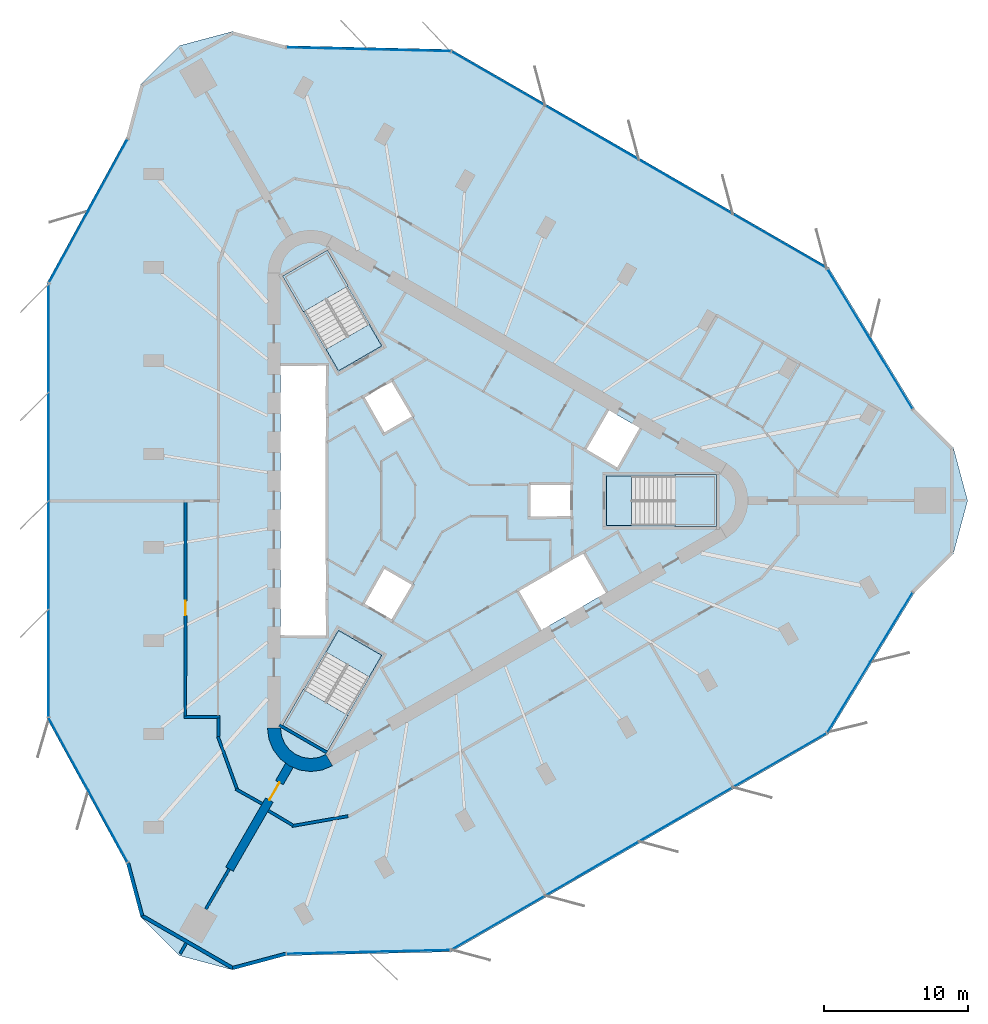
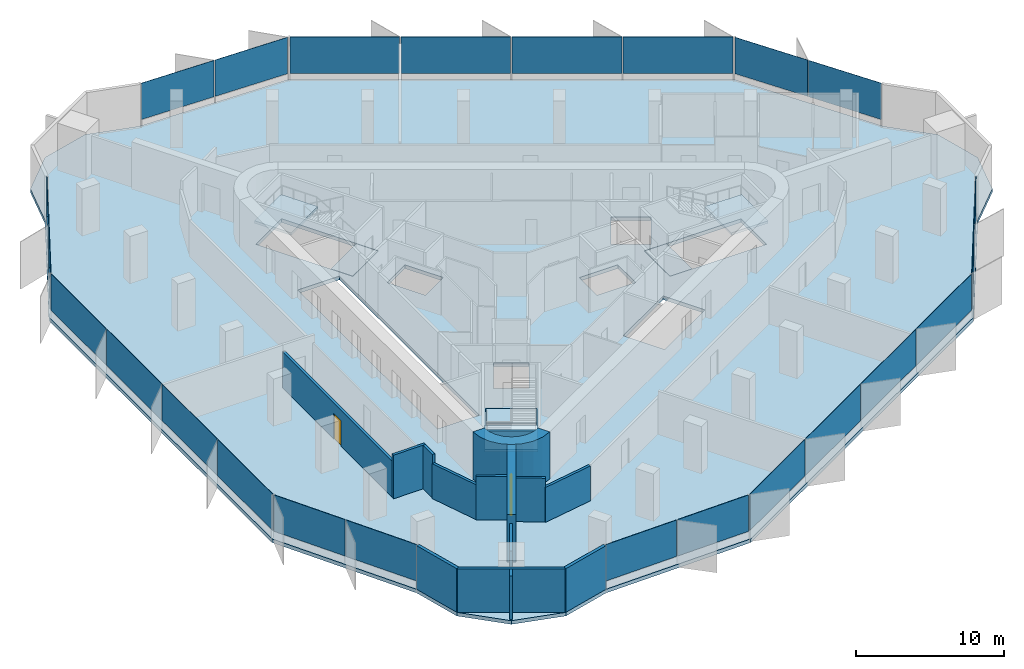
# One storey, part 6 of 12: 24 plates, 15 walls, 7 slabs, 2 doors, 2 openings, 12 elements without a shape of their own.
"""IFC4 building model written with IfcOpenShell, lengths in metres."""

from ifc_helpers import new_model, si_unit, direction, frame, frame_2d, origin, origin_2d, place, context, subcontext, project, spatial, polyline, rectangle, outline, extrude, material, layer, layer_set, type_object, element, fill, aggregate, save


model = new_model("IFC4")

# Units and contexts
model_context = context("Model", 3, precision=1e-05, world=origin(), true_north=direction((0.0, 1.0)))
body_context = subcontext(model_context, "Body", "Model", "MODEL_VIEW")
ifc_project = project(units=[si_unit("LENGTHUNIT", "METRE"), si_unit("AREAUNIT", "SQUARE_METRE"), si_unit("VOLUMEUNIT", "CUBIC_METRE"), si_unit("PLANEANGLEUNIT", "RADIAN"), si_unit("MASSUNIT", "GRAM", prefix="KILO")], contexts=[model_context])

# Site, building, storey
site_placement = place(None, origin())
site = spatial("IfcSite", under=ifc_project, at=site_placement, CompositionType="ELEMENT")
building_placement = place(site_placement, origin())
building = spatial("IfcBuilding", under=site, at=building_placement, Name="Tanit Gate Tower", CompositionType="ELEMENT")
storey_placement = place(building_placement, frame((0.0, 0.0, 341.60009765625)))
storey = spatial("IfcBuildingStorey", under=building, at=storey_placement, Name="L77", CompositionType="ELEMENT", Elevation=341.60009765625)

# Slab
ifc_material_1 = material(Name="Concrete C35/45", Category="concrete")
ifc_layer_1 = layer(ifc_material_1, 0.300048828125)
ifc_layer_set_1 = layer_set([ifc_layer_1], Name="FLOOR SLAB 300 C35/45")
slab_type_1 = type_object("IfcSlabType", Name="FLOOR SLAB 300 C35/45", PredefinedType="FLOOR", material=ifc_layer_set_1)
slab_1_placement = place(storey_placement, frame((0.0, 0.0, -0.300048828125)))
element("IfcSlab", 1, at=slab_1_placement, inside=storey, type_object=slab_type_1, Name="FLOOR SLAB L77", PredefinedType="FLOOR", context=body_context, shape_type="SweptSolid", body=[
    extrude(outline(polyline([(32.703125, 6.381103515625), (35.39990234375, 3.68408203125), (36.38720703125, 0.0), (35.39990234375, -3.68408203125), (32.703125, -6.381103515625), (26.747802734375, -16.17138671875), (0.6298828125, -31.248291015625), (-10.825439453125, -31.51220703125), (-14.509521484375, -32.49951171875), (-18.193603515625, -31.51220703125), (-20.890380859375, -28.815185546875), (-21.877685546875, -25.131103515625), (-27.378662109375, -15.07861328125), (-27.376708984375, 15.07861328125), (-21.877685546875, 25.131103515625), (-20.890380859375, 28.815185546875), (-18.193603515625, 31.51220703125), (-14.509521484375, 32.49951171875), (-10.825439453125, 31.51220703125), (0.630859375, 31.25), (26.746826171875, 16.16943359375), (32.703125, 6.381103515625)]), holes=[polyline([(11.3701171875, 1.72998046875), (18.929931640625, 1.72998046875), (18.929931640625, -1.72998046875), (11.3701171875, -1.72998046875), (11.3701171875, 1.72998046875)]), polyline([(12.158935546875, 2.159912109375), (9.82080078125, 3.510009765625), (11.44580078125, 6.324462890625), (13.783935546875, 4.974609375), (12.158935546875, 2.159912109375)]), polyline([(11.44580078125, -6.324462890625), (6.76904296875, -9.0244140625), (5.14404296875, -6.2099609375), (9.82080078125, -3.510009765625), (11.44580078125, -6.324462890625)]), polyline([(6.0, 1.199951171875), (9.0, 1.199951171875), (9.0, -1.199951171875), (6.0, -1.199951171875), (6.0, 1.199951171875)]), polyline([(-4.039306640625, 4.59619140625), (-5.539306640625, 7.194091796875), (-3.460693359375, 8.394287109375), (-1.960693359375, 5.796142578125), (-4.039306640625, 4.59619140625)]), polyline([(-1.960693359375, -5.796142578125), (-3.460693359375, -8.394287109375), (-5.539306640625, -7.194091796875), (-4.039306640625, -4.59619140625), (-1.960693359375, -5.796142578125)]), polyline([(-7.18310546875, 8.981689453125), (-10.963134765625, 15.52880859375), (-7.966796875, 17.2587890625), (-4.186767578125, 10.711669921875), (-7.18310546875, 8.981689453125)]), polyline([(-4.186767578125, -10.711669921875), (-7.966796875, -17.2587890625), (-10.963134765625, -15.52880859375), (-7.18310546875, -8.981689453125), (-4.186767578125, -10.711669921875)]), polyline([(-11.199951171875, -9.449951171875), (-11.199951171875, 9.449951171875), (-7.949951171875, 9.449951171875), (-7.949951171875, -9.449951171875), (-11.199951171875, -9.449951171875)])]), origin(), (0.0, 0.0, 1.0), 0.300048828125),
])

# Curtain wall, plates
ifc_material_2 = material(Name="Aluminium bronze anodised and glass", Category="aluminium")
curtain_wall_type = type_object("IfcCurtainWallType", Name="Curtain wall typical high", PredefinedType="NOTDEFINED", material=ifc_material_2)
curtain_wall_1_placement = place(storey_placement, origin())
curtain_wall_1 = element("IfcCurtainWall", 2, at=curtain_wall_1_placement, inside=storey, type_object=curtain_wall_type, Name="Curtain wall L77 NE1", PredefinedType="NOTDEFINED")
ifc_material_3 = material(Name="Glass tinted", Category="glass")
ifc_layer_2 = layer(ifc_material_3, 0.028076171875)
ifc_layer_set_2 = layer_set([ifc_layer_2], Name="Glass panel 28 typical high")
plate_type = type_object("IfcPlateType", Name="Glass panel 28 typical high", PredefinedType="CURTAIN_PANEL", material=ifc_layer_set_2)
plate_1_placement = place(storey_placement, frame((31.110595703125, 8.76708984375, 0.599853515625), z_axis=(0.0, 0.0, 1.0), x_axis=(-0.519820409699, 0.854275565412, 0.0)))
plate_1 = element("IfcPlate", 3, at=plate_1_placement, type_object=plate_type, Name="Glass panel L77 NE1.1", PredefinedType="CURTAIN_PANEL", context=body_context, shape_type="SweptSolid", body=[
    extrude(rectangle(XDim=5.60107421875, YDim=0.028076171875, at=origin_2d()), origin(), (0.0, 0.0, 1.0), 3.0),
])
plate_2_placement = place(storey_placement, frame((28.15771484375, 13.6201171875, 0.599853515625), z_axis=(0.0, 0.0, 1.0), x_axis=(-0.519820409699, 0.854275565412, 0.0)))
plate_2 = element("IfcPlate", 4, at=plate_2_placement, type_object=plate_type, Name="Glass panel L77 NE1.2", PredefinedType="CURTAIN_PANEL", context=body_context, shape_type="SweptSolid", body=[
    extrude(rectangle(XDim=5.600830078125, YDim=0.028076171875, at=origin_2d()), origin(), (0.0, 0.0, 1.0), 3.0),
])
aggregate(curtain_wall_1, [plate_1, plate_2])

curtain_wall_2_placement = place(storey_placement, origin())
curtain_wall_2 = element("IfcCurtainWall", 5, at=curtain_wall_2_placement, inside=storey, type_object=curtain_wall_type, Name="Curtain wall L77 NE2", PredefinedType="NOTDEFINED")
plate_3_placement = place(storey_placement, frame((23.37646484375, 17.977294921875, 0.599853515625), z_axis=(0.0, 0.0, 1.0), x_axis=(-0.865990732317, 0.500060047936, 0.0)))
plate_3 = element("IfcPlate", 6, at=plate_3_placement, type_object=plate_type, Name="Glass panel L77 NE2.1", PredefinedType="CURTAIN_PANEL", context=body_context, shape_type="SweptSolid", body=[
    extrude(rectangle(XDim=7.424072265625, YDim=0.028076171875, at=origin_2d()), origin(), (0.0, 0.0, 1.0), 3.0),
])
plate_4_placement = place(storey_placement, frame((16.878173828125, 21.729736328125, 0.599853515625), z_axis=(0.0, 0.0, 1.0), x_axis=(-0.865990732317, 0.500060047936, 0.0)))
plate_4 = element("IfcPlate", 7, at=plate_4_placement, type_object=plate_type, Name="Glass panel L77 NE2.2", PredefinedType="CURTAIN_PANEL", context=body_context, shape_type="SweptSolid", body=[
    extrude(rectangle(XDim=7.424072265625, YDim=0.028076171875, at=origin_2d()), origin(), (0.0, 0.0, 1.0), 3.0),
])
plate_5_placement = place(storey_placement, frame((10.379638671875, 25.482177734375, 0.599853515625), z_axis=(0.0, 0.0, 1.0), x_axis=(-0.865990732317, 0.500060047936, 0.0)))
plate_5 = element("IfcPlate", 8, at=plate_5_placement, type_object=plate_type, Name="Glass panel L77 NE2.3", PredefinedType="CURTAIN_PANEL", context=body_context, shape_type="SweptSolid", body=[
    extrude(rectangle(XDim=7.424072265625, YDim=0.028076171875, at=origin_2d()), origin(), (0.0, 0.0, 1.0), 3.0),
])
plate_6_placement = place(storey_placement, frame((3.88134765625, 29.234619140625, 0.599853515625), z_axis=(0.0, 0.0, 1.0), x_axis=(-0.865990732317, 0.500060047936, 0.0)))
plate_6 = element("IfcPlate", 9, at=plate_6_placement, type_object=plate_type, Name="Glass panel L77 NE2.4", PredefinedType="CURTAIN_PANEL", context=body_context, shape_type="SweptSolid", body=[
    extrude(rectangle(XDim=7.424072265625, YDim=0.028076171875, at=origin_2d()), origin(), (0.0, 0.0, 1.0), 3.0),
])
aggregate(curtain_wall_2, [plate_3, plate_4, plate_5, plate_6])

curtain_wall_3_placement = place(storey_placement, origin())
curtain_wall_3 = element("IfcCurtainWall", 10, at=curtain_wall_3_placement, inside=storey, type_object=curtain_wall_type, Name="Curtain wall L77 NE3", PredefinedType="NOTDEFINED")
plate_7_placement = place(storey_placement, frame((-2.282470703125, 31.19677734375, 0.599853515625), z_axis=(0.0, 0.0, 1.0), x_axis=(-0.999738222032, 0.022879847229, 0.0)))
plate_7 = element("IfcPlate", 11, at=plate_7_placement, type_object=plate_type, Name="Glass panel L77 NE3.1", PredefinedType="CURTAIN_PANEL", context=body_context, shape_type="SweptSolid", body=[
    extrude(rectangle(XDim=5.6015625, YDim=0.028076171875, at=origin_2d()), origin(), (0.0, 0.0, 1.0), 3.0),
])
plate_8_placement = place(storey_placement, frame((-7.962646484375, 31.32666015625, 0.599853515625), z_axis=(0.0, 0.0, 1.0), x_axis=(-0.999738222032, 0.022879847229, 0.0)))
plate_8 = element("IfcPlate", 12, at=plate_8_placement, type_object=plate_type, Name="Glass panel L77 NE3.2", PredefinedType="CURTAIN_PANEL", context=body_context, shape_type="SweptSolid", body=[
    extrude(rectangle(XDim=5.601318359375, YDim=0.028076171875, at=origin_2d()), origin(), (0.0, 0.0, 1.0), 3.0),
])
aggregate(curtain_wall_3, [plate_7, plate_8])

curtain_wall_4_placement = place(storey_placement, origin())
curtain_wall_4 = element("IfcCurtainWall", 13, at=curtain_wall_4_placement, inside=storey, type_object=curtain_wall_type, Name="Curtain wall L77 W1", PredefinedType="NOTDEFINED")
plate_9_placement = place(storey_placement, frame((-23.14794921875, 22.55908203125, 0.599853515625), z_axis=(0.0, 0.0, 1.0), x_axis=(-0.47991413663, -0.877315462911, 0.0)))
plate_9 = element("IfcPlate", 14, at=plate_9_placement, type_object=plate_type, Name="Glass panel L77 W1.1", PredefinedType="CURTAIN_PANEL", context=body_context, shape_type="SweptSolid", body=[
    extrude(rectangle(XDim=5.60107421875, YDim=0.028076171875, at=origin_2d()), origin(), (0.0, 0.0, 1.0), 3.0),
])
plate_10_placement = place(storey_placement, frame((-25.874267578125, 17.5751953125, 0.599853515625), z_axis=(0.0, 0.0, 1.0), x_axis=(-0.47991413663, -0.877315462911, 0.0)))
plate_10 = element("IfcPlate", 15, at=plate_10_placement, type_object=plate_type, Name="Glass panel L77 W1.2", PredefinedType="CURTAIN_PANEL", context=body_context, shape_type="SweptSolid", body=[
    extrude(rectangle(XDim=5.600830078125, YDim=0.028076171875, at=origin_2d()), origin(), (0.0, 0.0, 1.0), 3.0),
])
aggregate(curtain_wall_4, [plate_9, plate_10])

curtain_wall_5_placement = place(storey_placement, origin())
curtain_wall_5 = element("IfcCurtainWall", 16, at=curtain_wall_5_placement, inside=storey, type_object=curtain_wall_type, Name="Curtain wall L77 W2", PredefinedType="NOTDEFINED")
plate_11_placement = place(storey_placement, frame((-27.2568359375, 11.256103515625, 0.599853515625), z_axis=(0.0, 0.0, 1.0), x_axis=(-6.9338772e-05, -0.999999997596, 0.0)))
plate_11 = element("IfcPlate", 17, at=plate_11_placement, type_object=plate_type, Name="Glass panel L77 W2.1", PredefinedType="CURTAIN_PANEL", context=body_context, shape_type="SweptSolid", body=[
    extrude(rectangle(XDim=7.424072265625, YDim=0.028076171875, at=origin_2d()), origin(), (0.0, 0.0, 1.0), 3.0),
])
plate_12_placement = place(storey_placement, frame((-27.25732421875, 3.751953125, 0.599853515625), z_axis=(0.0, 0.0, 1.0), x_axis=(-6.9338772e-05, -0.999999997596, 0.0)))
plate_12 = element("IfcPlate", 18, at=plate_12_placement, type_object=plate_type, Name="Glass panel L77 W2.2", PredefinedType="CURTAIN_PANEL", context=body_context, shape_type="SweptSolid", body=[
    extrude(rectangle(XDim=7.424072265625, YDim=0.028076171875, at=origin_2d()), origin(), (0.0, 0.0, 1.0), 3.0),
])
plate_13_placement = place(storey_placement, frame((-27.258056640625, -3.751953125, 0.599853515625), z_axis=(0.0, 0.0, 1.0), x_axis=(-6.9338772e-05, -0.999999997596, 0.0)))
plate_13 = element("IfcPlate", 19, at=plate_13_placement, type_object=plate_type, Name="Glass panel L77 W2.3", PredefinedType="CURTAIN_PANEL", context=body_context, shape_type="SweptSolid", body=[
    extrude(rectangle(XDim=7.424072265625, YDim=0.028076171875, at=origin_2d()), origin(), (0.0, 0.0, 1.0), 3.0),
])
plate_14_placement = place(storey_placement, frame((-27.258544921875, -11.256103515625, 0.599853515625), z_axis=(0.0, 0.0, 1.0), x_axis=(-6.9338772e-05, -0.999999997596, 0.0)))
plate_14 = element("IfcPlate", 20, at=plate_14_placement, type_object=plate_type, Name="Glass panel L77 W2.4", PredefinedType="CURTAIN_PANEL", context=body_context, shape_type="SweptSolid", body=[
    extrude(rectangle(XDim=7.424072265625, YDim=0.028076171875, at=origin_2d()), origin(), (0.0, 0.0, 1.0), 3.0),
])
aggregate(curtain_wall_5, [plate_11, plate_12, plate_13, plate_14])

curtain_wall_6_placement = place(storey_placement, origin())
curtain_wall_6 = element("IfcCurtainWall", 21, at=curtain_wall_6_placement, inside=storey, type_object=curtain_wall_type, Name="Curtain wall L77 W3", PredefinedType="NOTDEFINED")
plate_15_placement = place(storey_placement, frame((-25.875732421875, -17.5751953125, 0.599853515625), z_axis=(0.0, 0.0, 1.0), x_axis=(0.48005458208, -0.877238621028, 0.0)))
plate_15 = element("IfcPlate", 22, at=plate_15_placement, type_object=plate_type, Name="Glass panel L77 W3.1", PredefinedType="CURTAIN_PANEL", context=body_context, shape_type="SweptSolid", body=[
    extrude(rectangle(XDim=5.6015625, YDim=0.028076171875, at=origin_2d()), origin(), (0.0, 0.0, 1.0), 3.0),
])
plate_16_placement = place(storey_placement, frame((-23.1484375, -22.55908203125, 0.599853515625), z_axis=(0.0, 0.0, 1.0), x_axis=(0.48005458208, -0.877238621028, 0.0)))
plate_16 = element("IfcPlate", 23, at=plate_16_placement, type_object=plate_type, Name="Glass panel L77 W3.2", PredefinedType="CURTAIN_PANEL", context=body_context, shape_type="SweptSolid", body=[
    extrude(rectangle(XDim=5.601318359375, YDim=0.028076171875, at=origin_2d()), origin(), (0.0, 0.0, 1.0), 3.0),
])
aggregate(curtain_wall_6, [plate_15, plate_16])

curtain_wall_7_placement = place(storey_placement, origin())
curtain_wall_7 = element("IfcCurtainWall", 24, at=curtain_wall_7_placement, inside=storey, type_object=curtain_wall_type, Name="Curtain wall L77 SE1", PredefinedType="NOTDEFINED")
plate_17_placement = place(storey_placement, frame((-7.962890625, -31.326171875, 0.599853515625), z_axis=(0.0, 0.0, 1.0), x_axis=(0.999734546329, 0.023039897499, 0.0)))
plate_17 = element("IfcPlate", 25, at=plate_17_placement, type_object=plate_type, Name="Glass panel L77 SE1.1", PredefinedType="CURTAIN_PANEL", context=body_context, shape_type="SweptSolid", body=[
    extrude(rectangle(XDim=5.60107421875, YDim=0.028076171875, at=origin_2d()), origin(), (0.0, 0.0, 1.0), 3.0),
])
plate_18_placement = place(storey_placement, frame((-2.283447265625, -31.1953125, 0.599853515625), z_axis=(0.0, 0.0, 1.0), x_axis=(0.999734546329, 0.023039897499, 0.0)))
plate_18 = element("IfcPlate", 26, at=plate_18_placement, type_object=plate_type, Name="Glass panel L77 SE1.2", PredefinedType="CURTAIN_PANEL", context=body_context, shape_type="SweptSolid", body=[
    extrude(rectangle(XDim=5.600830078125, YDim=0.028076171875, at=origin_2d()), origin(), (0.0, 0.0, 1.0), 3.0),
])
aggregate(curtain_wall_7, [plate_17, plate_18])

curtain_wall_8_placement = place(storey_placement, origin())
curtain_wall_8 = element("IfcCurtainWall", 27, at=curtain_wall_8_placement, inside=storey, type_object=curtain_wall_type, Name="Curtain wall L77 SE2", PredefinedType="NOTDEFINED")
plate_19_placement = place(storey_placement, frame((3.88037109375, -29.233154296875, 0.599853515625), z_axis=(0.0, 0.0, 1.0), x_axis=(0.866060071089, 0.49993994966, 0.0)))
plate_19 = element("IfcPlate", 28, at=plate_19_placement, type_object=plate_type, Name="Glass panel L77 SE2.1", PredefinedType="CURTAIN_PANEL", context=body_context, shape_type="SweptSolid", body=[
    extrude(rectangle(XDim=7.424072265625, YDim=0.028076171875, at=origin_2d()), origin(), (0.0, 0.0, 1.0), 3.0),
])
plate_20_placement = place(storey_placement, frame((10.37939453125, -25.481689453125, 0.599853515625), z_axis=(0.0, 0.0, 1.0), x_axis=(0.866060071089, 0.49993994966, 0.0)))
plate_20 = element("IfcPlate", 29, at=plate_20_placement, type_object=plate_type, Name="Glass panel L77 SE2.2", PredefinedType="CURTAIN_PANEL", context=body_context, shape_type="SweptSolid", body=[
    extrude(rectangle(XDim=7.424072265625, YDim=0.028076171875, at=origin_2d()), origin(), (0.0, 0.0, 1.0), 3.0),
])
plate_21_placement = place(storey_placement, frame((16.87841796875, -21.72998046875, 0.599853515625), z_axis=(0.0, 0.0, 1.0), x_axis=(0.866060071089, 0.49993994966, 0.0)))
plate_21 = element("IfcPlate", 30, at=plate_21_placement, type_object=plate_type, Name="Glass panel L77 SE2.3", PredefinedType="CURTAIN_PANEL", context=body_context, shape_type="SweptSolid", body=[
    extrude(rectangle(XDim=7.424072265625, YDim=0.028076171875, at=origin_2d()), origin(), (0.0, 0.0, 1.0), 3.0),
])
plate_22_placement = place(storey_placement, frame((23.377197265625, -17.978515625, 0.599853515625), z_axis=(0.0, 0.0, 1.0), x_axis=(0.866060071089, 0.49993994966, 0.0)))
plate_22 = element("IfcPlate", 31, at=plate_22_placement, type_object=plate_type, Name="Glass panel L77 SE2.4", PredefinedType="CURTAIN_PANEL", context=body_context, shape_type="SweptSolid", body=[
    extrude(rectangle(XDim=7.424072265625, YDim=0.028076171875, at=origin_2d()), origin(), (0.0, 0.0, 1.0), 3.0),
])
aggregate(curtain_wall_8, [plate_19, plate_20, plate_21, plate_22])

curtain_wall_9_placement = place(storey_placement, origin())
curtain_wall_9 = element("IfcCurtainWall", 32, at=curtain_wall_9_placement, inside=storey, type_object=curtain_wall_type, Name="Curtain wall L77 SE3", PredefinedType="NOTDEFINED")
plate_23_placement = place(storey_placement, frame((28.158447265625, -13.62158203125, 0.599853515625), z_axis=(0.0, 0.0, 1.0), x_axis=(0.519683639951, 0.854358773799, 0.0)))
plate_23 = element("IfcPlate", 33, at=plate_23_placement, type_object=plate_type, Name="Glass panel L77 SE3.1", PredefinedType="CURTAIN_PANEL", context=body_context, shape_type="SweptSolid", body=[
    extrude(rectangle(XDim=5.6015625, YDim=0.028076171875, at=origin_2d()), origin(), (0.0, 0.0, 1.0), 3.0),
])
plate_24_placement = place(storey_placement, frame((31.111083984375, -8.767578125, 0.599853515625), z_axis=(0.0, 0.0, 1.0), x_axis=(0.519683639951, 0.854358773799, 0.0)))
plate_24 = element("IfcPlate", 34, at=plate_24_placement, type_object=plate_type, Name="Glass panel L77 SE3.2", PredefinedType="CURTAIN_PANEL", context=body_context, shape_type="SweptSolid", body=[
    extrude(rectangle(XDim=5.601318359375, YDim=0.028076171875, at=origin_2d()), origin(), (0.0, 0.0, 1.0), 3.0),
])
aggregate(curtain_wall_9, [plate_23, plate_24])

# Stair, slab
ifc_material_4 = material(Name="Concrete C40/50", Category="concrete")
stair_type = type_object("IfcStairType", Name="INT-STAIR-EXIT", PredefinedType="HALF_TURN_STAIR", material=ifc_material_4)
stair_1_placement = place(storey_placement, origin())
stair_1 = element("IfcStair", 35, at=stair_1_placement, inside=storey, type_object=stair_type, Name="L77 STAIR S1", PredefinedType="HALF_TURN_STAIR")
ifc_material_5 = material(Name="Concrete C40/50", Category="concrete")
ifc_layer_3 = layer(ifc_material_5, 0.199951171875)
ifc_layer_set_3 = layer_set([ifc_layer_3], Name="INT-STAIR-LANDING")
slab_type_2 = type_object("IfcSlabType", Name="INT-STAIR-LANDING", PredefinedType="LANDING", material=ifc_layer_set_3)
slab_2_placement = place(storey_placement, frame((0.0, 0.0, 1.75)))
slab_2 = element("IfcSlab", 36, at=slab_2_placement, type_object=slab_type_2, Name="S1 landing 1", PredefinedType="LANDING", context=body_context, shape_type="SweptSolid", body=[
    extrude(outline(polyline([(16.135986328125, -1.800048828125), (19.0, -1.800048828125), (19.0, 1.800048828125), (16.135986328125, 1.800048828125), (16.135986328125, -1.800048828125)])), origin(), (0.0, 0.0, 1.0), 0.199951171875),
])
aggregate(stair_1, [slab_2])

# Slab
slab_3_placement = place(storey_placement, frame((0.0, 0.0, -0.2001953125)))
element("IfcSlab", 37, at=slab_3_placement, inside=storey, type_object=slab_type_2, Name="S1 floor landing", PredefinedType="LANDING", context=body_context, shape_type="SweptSolid", body=[
    extrude(outline(polyline([(11.3798828125, -1.719970703125), (13.10498046875, -1.719970703125), (13.10498046875, 1.719970703125), (11.3798828125, 1.719970703125), (11.3798828125, -1.719970703125)])), origin(), (0.0, 0.0, 1.0), 0.2001953125),
])

# Stair, slab
stair_2_placement = place(storey_placement, origin())
stair_2 = element("IfcStair", 38, at=stair_2_placement, inside=storey, type_object=stair_type, Name="L77 STAIR S2", PredefinedType="HALF_TURN_STAIR")
slab_4_placement = place(storey_placement, frame((0.0, 0.0, 1.75)))
slab_4 = element("IfcSlab", 39, at=slab_4_placement, type_object=slab_type_2, Name="S2 landing 1", PredefinedType="LANDING", context=body_context, shape_type="SweptSolid", body=[
    extrude(outline(polyline([(-6.5078125, 14.871826171875), (-7.941162109375, 17.3544921875), (-11.058837890625, 15.554443359375), (-9.62548828125, 13.07177734375), (-6.5078125, 14.871826171875)])), origin(), (0.0, 0.0, 1.0), 0.199951171875),
])
aggregate(stair_2, [slab_4])

# Slab
slab_5_placement = place(storey_placement, frame((0.0, 0.0, -0.2001953125)))
element("IfcSlab", 40, at=slab_5_placement, inside=storey, type_object=slab_type_2, Name="S2 floor landing", PredefinedType="LANDING", context=body_context, shape_type="SweptSolid", body=[
    extrude(outline(polyline([(-4.200439453125, 10.71533203125), (-5.0625, 12.20849609375), (-8.04150390625, 10.48828125), (-7.179443359375, 8.995361328125), (-4.200439453125, 10.71533203125)])), origin(), (0.0, 0.0, 1.0), 0.2001953125),
])

# Stair, slab
stair_3_placement = place(storey_placement, origin())
stair_3 = element("IfcStair", 41, at=stair_3_placement, inside=storey, type_object=stair_type, Name="L77 STAIR S3", PredefinedType="HALF_TURN_STAIR")
slab_6_placement = place(storey_placement, frame((0.0, 0.0, 1.75)))
slab_6 = element("IfcSlab", 42, at=slab_6_placement, type_object=slab_type_2, Name="S3 landing 1", PredefinedType="LANDING", context=body_context, shape_type="SweptSolid", body=[
    extrude(outline(polyline([(-9.626953125, -13.07421875), (-11.058837890625, -15.554443359375), (-7.941162109375, -17.3544921875), (-6.509033203125, -14.874267578125), (-9.626953125, -13.07421875)])), origin(), (0.0, 0.0, 1.0), 0.199951171875),
])
aggregate(stair_3, [slab_6])

# Slab
slab_7_placement = place(storey_placement, frame((0.0, 0.0, -0.2001953125)))
element("IfcSlab", 43, at=slab_7_placement, inside=storey, type_object=slab_type_2, Name="S3 floor landing", PredefinedType="LANDING", context=body_context, shape_type="SweptSolid", body=[
    extrude(outline(polyline([(-7.179443359375, -8.995361328125), (-8.0419921875, -10.4892578125), (-5.06298828125, -12.209228515625), (-4.200439453125, -10.71533203125), (-7.179443359375, -8.995361328125)])), origin(), (0.0, 0.0, 1.0), 0.2001953125),
])

# Wall, opening, door
ifc_material_6 = material(Name="Concrete C40/50", Category="concrete")
ifc_layer_4 = layer(ifc_material_6, 0.60009765625)
ifc_layer_set_4 = layer_set([ifc_layer_4], Name="BUTTRESS FIN 600 C40/50")
wall_type_1 = type_object("IfcWallType", Name="BUTTRESS FIN 600 C40/50", PredefinedType="SHEAR", material=ifc_layer_set_4)
wall_1_placement = place(storey_placement, frame((-10.574951171875, -18.31640625, 0.0), z_axis=(0.0, 0.0, 1.0), x_axis=(-0.499998447599, -0.866026300061, 0.0)))
wall_1 = element("IfcWall", 44, at=wall_1_placement, inside=storey, type_object=wall_type_1, Name="BUTTRESS FIN", PredefinedType="SHEAR", context=body_context, shape_type="SweptSolid", body=[
    extrude(rectangle(XDim=8.32080078125, YDim=0.60009765625, at=frame_2d((4.160400390625, 0.0))), origin(), (0.0, 0.0, 1.0), 3.89990234375),
])
opening_1_placement = place(wall_1_placement, frame((1.39990234375, 0.0, 0.0)))
opening_1 = element("IfcOpeningElement", 45, at=opening_1_placement, cuts=wall_1, Name="Opening P14-S21-F-SW-1", PredefinedType="OPENING", context=body_context, shape_type="SweptSolid", body=[
    extrude(rectangle(XDim=1.39990234375, YDim=2.39990234375, at=frame_2d((0.699951171875, 1.199951171875))), frame((0.0, 0.31005859375, 0.0), z_axis=(0.0, -1.0, 0.0), x_axis=(1.0, 0.0, 0.0)), (0.0, 0.0, 1.0), 0.6201171875),
])
ifc_material_7 = material(Name="Timber door leaf", Category="wood")
door_type_1 = type_object("IfcDoorType", Name="INT-DOOR-FIN-PAIR-1400", OperationType="NOTDEFINED", PredefinedType="NOTDEFINED", material=ifc_material_7)
door_1_placement = place(opening_1_placement, origin())
door_1 = element("IfcDoor", 46, at=door_1_placement, inside=storey, type_object=door_type_1, Name="Door P14-S21-F-SW-1", OperationType="DOUBLE_DOOR_SINGLE_SWING", OverallHeight=2.39990234375, OverallWidth=1.39990234375, PredefinedType="NOTDEFINED", context=body_context, shape_type="SweptSolid", body=[
    extrude(rectangle(XDim=1.39990234375, YDim=2.39990234375, at=frame_2d((0.699951171875, 1.199951171875))), frame((0.0, 0.02490234375, 0.0), z_axis=(0.0, -1.0, 0.0), x_axis=(1.0, 0.0, 0.0)), (0.0, 0.0, 1.0), 0.050048828125),
])
fill(opening_1, door_1)

# Walls
ifc_material_8 = material(Name="Concrete C40/50", Category="concrete")
ifc_layer_5 = layer(ifc_material_8, 0.89990234375)
ifc_layer_set_5 = layer_set([ifc_layer_5], Name="CORE WALL 900 C40/50")
wall_type_2 = type_object("IfcWallType", Name="CORE WALL 900 C40/50", PredefinedType="SHEAR", material=ifc_layer_set_5)
wall_2_placement = place(storey_placement, origin())
element("IfcWall", 47, at=wall_2_placement, inside=storey, type_object=wall_type_2, Name="CORE WALL CORNER", PredefinedType="SHEAR", context=body_context, shape_type="SweptSolid", body=[
    extrude(outline(polyline([(-12.10009765625, -15.76171875), (-11.997802734375, -16.5380859375), (-11.697998046875, -17.26171875), (-11.22119140625, -17.883056640625), (-10.60009765625, -18.359619140625), (-9.87646484375, -18.659423828125), (-9.10009765625, -18.76171875), (-8.323486328125, -18.659423828125), (-7.60009765625, -18.359619140625), (-8.050048828125, -17.580322265625), (-8.556396484375, -17.7900390625), (-9.10009765625, -17.86181640625), (-9.6435546875, -17.7900390625), (-10.14990234375, -17.580322265625), (-10.5849609375, -17.24658203125), (-10.918701171875, -16.811767578125), (-11.12841796875, -16.30517578125), (-11.199951171875, -15.76171875), (-12.10009765625, -15.76171875)])), origin(), (0.0, 0.0, 1.0), 3.89990234375),
])
ifc_material_9 = material(Name="Concrete C30/37 with bronze anodised aluminium cladding", Category="concrete")
ifc_layer_6 = layer(ifc_material_9, 0.239990234375)
ifc_layer_set_6 = layer_set([ifc_layer_6], Name="Facade wall bronze clad 240")
wall_type_3 = type_object("IfcWallType", Name="Facade wall bronze clad 240", PredefinedType="SOLIDWALL", material=ifc_layer_set_6)
wall_3_placement = place(storey_placement, frame((-21.765625, -25.086181640625, 0.0), z_axis=(0.0, 0.0, 1.0), x_axis=(0.258843233206, -0.965919344782, 0.0)))
element("IfcWall", 48, at=wall_3_placement, inside=storey, type_object=wall_type_3, Name="Bronze-clad facade wall L77 SW.arc1", PredefinedType="SOLIDWALL", context=body_context, shape_type="SweptSolid", body=[
    extrude(rectangle(XDim=3.79638671875, YDim=0.239990234375, at=frame_2d((1.898193359375, 0.0))), origin(), (0.0, 0.0, 1.0), 3.599853515625),
])
wall_4_placement = place(storey_placement, frame((-20.782958984375, -28.753173828125, 0.0), z_axis=(0.0, 0.0, 1.0), x_axis=(0.866019457076, -0.500010299859, 0.0)))
element("IfcWall", 49, at=wall_4_placement, inside=storey, type_object=wall_type_3, Name="Bronze-clad facade wall L77 SW.arc2", PredefinedType="SOLIDWALL", context=body_context, shape_type="SweptSolid", body=[
    extrude(rectangle(XDim=7.243896484375, YDim=0.239990234375, at=frame_2d((3.6220703125, 0.0))), origin(), (0.0, 0.0, 1.0), 3.599853515625),
])
wall_5_placement = place(storey_placement, frame((-14.509521484375, -32.375244140625, 0.0), z_axis=(0.0, 0.0, 1.0), x_axis=(0.965919344782, 0.258843233206, 0.0)))
element("IfcWall", 50, at=wall_5_placement, inside=storey, type_object=wall_type_3, Name="Bronze-clad facade wall L77 SW.arc3", PredefinedType="SOLIDWALL", context=body_context, shape_type="SweptSolid", body=[
    extrude(rectangle(XDim=3.79638671875, YDim=0.239990234375, at=frame_2d((1.898193359375, 0.0))), origin(), (0.0, 0.0, 1.0), 3.599853515625),
])
ifc_material_10 = material(Name="Fire-rated gypsum board partition")
ifc_layer_7 = layer(ifc_material_10, 0.199951171875)
ifc_layer_set_7 = layer_set([ifc_layer_7], Name="INT-WALL-COMPARTMENT")
wall_type_4 = type_object("IfcWallType", Name="INT-WALL-COMPARTMENT", PredefinedType="PARTITIONING", material=ifc_layer_set_7)
wall_6_placement = place(storey_placement, frame((-17.89990234375, -15.001220703125, 0.0), z_axis=(0.0, 0.0, 1.0), x_axis=(0.999915662945, 0.012987185857, 0.0)))
element("IfcWall", 51, at=wall_6_placement, inside=storey, type_object=wall_type_4, Name="Wall Compartment W085", PredefinedType="PARTITIONING", context=body_context, shape_type="SweptSolid", body=[
    extrude(rectangle(XDim=2.500244140625, YDim=0.199951171875, at=frame_2d((1.25, 0.0))), origin(), (0.0, 0.0, 1.0), 3.599853515625),
])

# Wall, opening, door
wall_7_placement = place(storey_placement, frame((-17.77001953125, 0.0, 0.0), z_axis=(0.0, 0.0, 1.0), x_axis=(-0.001999012883, -0.999998001972, 0.0)))
wall_7 = element("IfcWall", 52, at=wall_7_placement, inside=storey, type_object=wall_type_4, Name="Wall Compartment W086", PredefinedType="PARTITIONING", context=body_context, shape_type="SweptSolid", body=[
    extrude(rectangle(XDim=14.89990234375, YDim=0.199951171875, at=frame_2d((7.449951171875, 0.0))), origin(), (0.0, 0.0, 1.0), 2.969970703125),
])
opening_2_placement = place(wall_7_placement, frame((6.949951171875, 0.0, 0.0)))
opening_2 = element("IfcOpeningElement", 53, at=opening_2_placement, cuts=wall_7, Name="Opening F10-S21-26", PredefinedType="OPENING", context=body_context, shape_type="SweptSolid", body=[
    extrude(rectangle(XDim=1.0, YDim=2.10009765625, at=frame_2d((0.5, 1.050048828125))), frame((0.0, 0.10986328125, 0.0), z_axis=(0.0, -1.0, 0.0), x_axis=(1.0, 0.0, 0.0)), (0.0, 0.0, 1.0), 0.219970703125),
])
ifc_material_11 = material(Name="Fire-rated steel door leaf", Category="steel")
door_type_2 = type_object("IfcDoorType", Name="INT-DOOR-FIRE-1000", OperationType="NOTDEFINED", PredefinedType="USERDEFINED", material=ifc_material_11)
door_2_placement = place(opening_2_placement, origin())
door_2 = element("IfcDoor", 54, at=door_2_placement, inside=storey, type_object=door_type_2, Name="Door F10-S21-26", ObjectType="FIRE DOOR", OperationType="SINGLE_SWING_RIGHT", OverallHeight=2.10009765625, OverallWidth=1.0, PredefinedType="USERDEFINED", context=body_context, shape_type="SweptSolid", body=[
    extrude(rectangle(XDim=1.0, YDim=2.10009765625, at=frame_2d((0.5, 1.050048828125))), frame((0.0, 0.02490234375, 0.0), z_axis=(0.0, -1.0, 0.0), x_axis=(1.0, 0.0, 0.0)), (0.0, 0.0, 1.0), 0.050048828125),
])
fill(opening_2, door_2)

# Walls
wall_8_placement = place(storey_placement, frame((-14.293212890625, -19.9775390625, 0.0), z_axis=(0.0, 0.0, 1.0), x_axis=(0.872510000486, -0.48859625362, 0.0)))
element("IfcWall", 55, at=wall_8_placement, inside=storey, type_object=wall_type_4, Name="Wall Compartment W088", PredefinedType="PARTITIONING", context=body_context, shape_type="SweptSolid", body=[
    extrude(rectangle(XDim=2.089599609375, YDim=0.199951171875, at=frame_2d((1.044921875, 0.0))), origin(), (0.0, 0.0, 1.0), 3.599853515625),
])
wall_9_placement = place(storey_placement, frame((-15.5341796875, -16.346435546875, 0.0), z_axis=(0.0, 0.0, 1.0), x_axis=(0.342001008711, -0.939699584996, 0.0)))
element("IfcWall", 56, at=wall_9_placement, inside=storey, type_object=wall_type_4, Name="Wall Compartment W089", PredefinedType="PARTITIONING", context=body_context, shape_type="SweptSolid", body=[
    extrude(rectangle(XDim=3.87548828125, YDim=0.199951171875, at=frame_2d((1.937744140625, 0.0))), origin(), (0.0, 0.0, 1.0), 2.8798828125),
])
wall_10_placement = place(storey_placement, frame((-15.5, -15.070068359375, 0.0), z_axis=(0.0, 0.0, 1.0), x_axis=(0.0, -1.0, 0.0)))
element("IfcWall", 57, at=wall_10_placement, inside=storey, type_object=wall_type_4, Name="Wall Compartment W090", PredefinedType="PARTITIONING", context=body_context, shape_type="SweptSolid", body=[
    extrude(rectangle(XDim=1.2705078125, YDim=0.199951171875, at=frame_2d((0.63525390625, 0.0))), origin(), (0.0, 0.0, 1.0), 3.599853515625),
])
wall_11_placement = place(storey_placement, frame((-10.405517578125, -22.53759765625, 0.0), z_axis=(0.0, 0.0, 1.0), x_axis=(0.98480284819, 0.173675991999, 0.0)))
element("IfcWall", 58, at=wall_11_placement, inside=storey, type_object=wall_type_4, Name="Wall Compartment W107", PredefinedType="PARTITIONING", context=body_context, shape_type="SweptSolid", body=[
    extrude(rectangle(XDim=3.94873046875, YDim=0.199951171875, at=frame_2d((1.974365234375, 0.0))), origin(), (0.0, 0.0, 1.0), 2.8798828125),
])
wall_12_placement = place(storey_placement, frame((-12.05029296875, -21.4716796875, 0.0), z_axis=(0.0, 0.0, 1.0), x_axis=(0.859577966481, -0.511004617924, 0.0)))
element("IfcWall", 59, at=wall_12_placement, inside=storey, type_object=wall_type_4, Name="Wall Compartment W108", PredefinedType="PARTITIONING", context=body_context, shape_type="SweptSolid", body=[
    extrude(rectangle(XDim=1.99755859375, YDim=0.199951171875, at=frame_2d((0.998779296875, 0.0))), origin(), (0.0, 0.0, 1.0), 3.599853515625),
])
wall_13_placement = place(storey_placement, frame((-18.1533203125, -31.382568359375, 0.0), z_axis=(0.0, 0.0, 1.0), x_axis=(0.499973348067, 0.866040790738, 0.0)))
element("IfcWall", 60, at=wall_13_placement, inside=storey, type_object=wall_type_4, Name="Wall Compartment W110", PredefinedType="PARTITIONING", context=body_context, shape_type="SweptSolid", body=[
    extrude(rectangle(XDim=0.84228515625, YDim=0.199951171875, at=frame_2d((0.421142578125, 0.0))), origin(), (0.0, 0.0, 1.0), 3.599853515625),
])
wall_14_placement = place(storey_placement, frame((-16.36962890625, -28.29296875, 0.0), z_axis=(0.0, 0.0, 1.0), x_axis=(0.503233779138, 0.864150313044, 0.0)))
element("IfcWall", 61, at=wall_14_placement, inside=storey, type_object=wall_type_4, Name="Wall Compartment W111", PredefinedType="PARTITIONING", context=body_context, shape_type="SweptSolid", body=[
    extrude(rectangle(XDim=3.216552734375, YDim=0.199951171875, at=frame_2d((1.6083984375, 0.0))), origin(), (0.0, 0.0, 1.0), 3.169921875),
])
ifc_material_12 = material(Name="Concrete C40/50", Category="concrete")
ifc_layer_8 = layer(ifc_material_12, 0.199951171875)
ifc_layer_set_8 = layer_set([ifc_layer_8], Name="INT-WALL-STAIR")
wall_type_5 = type_object("IfcWallType", Name="INT-WALL-STAIR", PredefinedType="SHEAR", material=ifc_layer_set_8)
wall_15_placement = place(storey_placement, frame((-11.281982421875, -15.541015625, -0.300048828125), z_axis=(0.0, 0.0, 1.0), x_axis=(0.866000483506, -0.500043160704, 0.0)))
element("IfcWall", 62, at=wall_15_placement, inside=storey, type_object=wall_type_5, Name="Wall Stair W037", PredefinedType="SHEAR", context=body_context, shape_type="SweptSolid", body=[
    extrude(rectangle(XDim=3.800048828125, YDim=0.199951171875, at=frame_2d((1.89990234375, 0.0))), origin(), (0.0, 0.0, 1.0), 3.89990234375),
])

save(model, "model.ifc")
